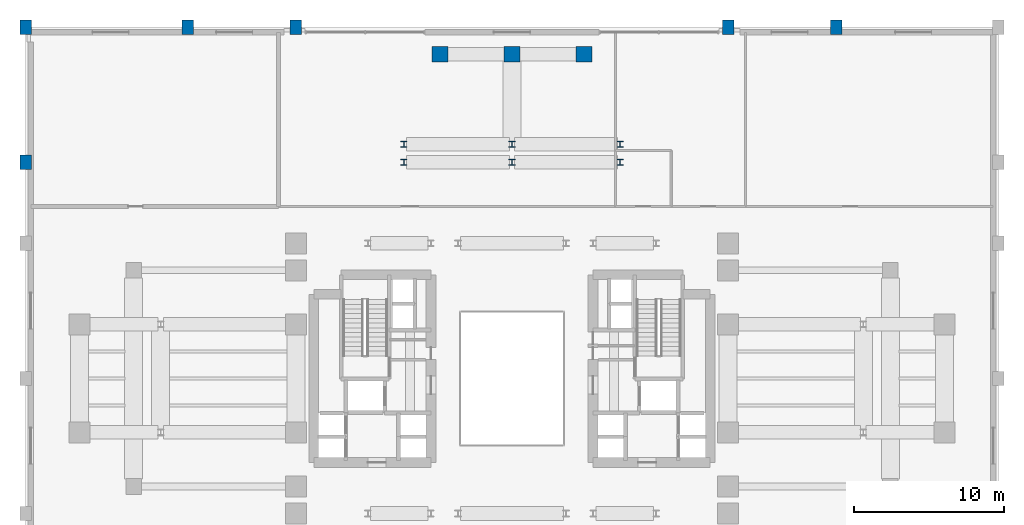
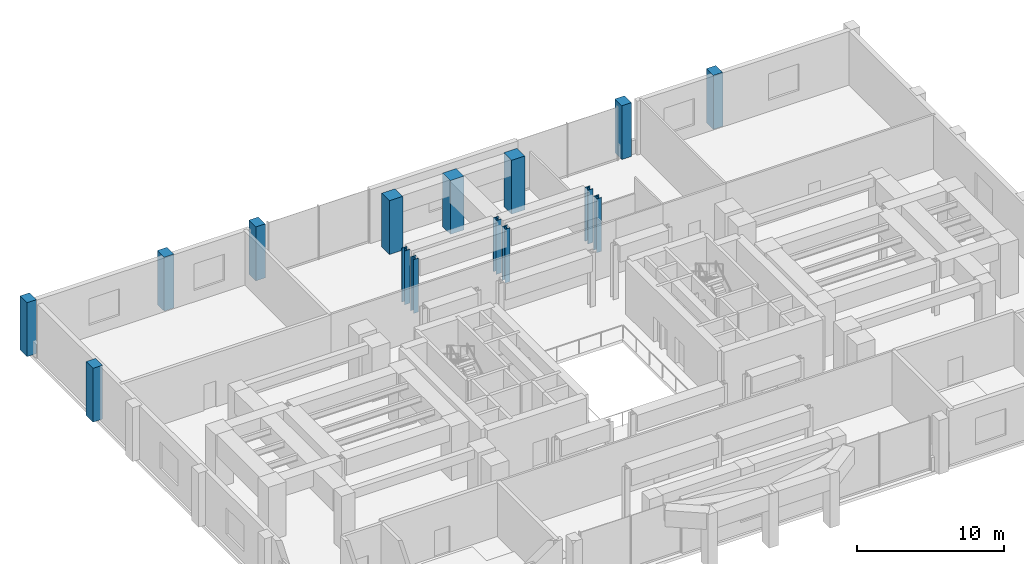
# One storey, part 2 of 13: 15 columns.
"""IFC4 building model written with IfcOpenShell, lengths in metres."""

from ifc_helpers import new_model, si_unit, direction, frame, origin, origin_2d, place, context, subcontext, project, spatial, rectangle, i_section, extrude, source, transform, mapped, material, material_profile, profile_set, type_object, element, save


model = new_model("IFC4")

# Units and contexts
model_context = context("Model", 3, precision=1e-05, world=origin(), true_north=direction((0.0, 1.0)))
body_context = subcontext(model_context, "Body", "Model", "MODEL_VIEW")
ifc_project = project(units=[si_unit("LENGTHUNIT", "METRE"), si_unit("AREAUNIT", "SQUARE_METRE"), si_unit("VOLUMEUNIT", "CUBIC_METRE"), si_unit("PLANEANGLEUNIT", "RADIAN"), si_unit("MASSUNIT", "GRAM", prefix="KILO")], contexts=[model_context])

# Site, building, storey
site_placement = place(None, origin())
site = spatial("IfcSite", under=ifc_project, at=site_placement, CompositionType="ELEMENT")
building_placement = place(site_placement, origin())
building = spatial("IfcBuilding", under=site, at=building_placement, Name="Keilestroom Media Tower", CompositionType="ELEMENT")
storey_placement = place(building_placement, frame((0.0, 0.0, 20.39990234375)))
storey = spatial("IfcBuildingStorey", under=building, at=storey_placement, Name="L04", CompositionType="ELEMENT", Elevation=20.39990234375)

# Columns
ifc_material_1 = material(Name="Precast concrete C40/50", Category="concrete")
ifc_material_profile_1 = material_profile(ifc_material_1, rectangle(XDim=0.75, YDim=0.949951171875, at=origin_2d()), Name="PC 950x750")
ifc_profile_set_1 = profile_set([ifc_material_profile_1], Name="Precast concrete C40/50")
column_type_1 = type_object("IfcColumnType", Name="Structural-Column-PC-950x750", PredefinedType="COLUMN", material=ifc_profile_set_1)
shared_shape_1 = source(origin(), body_context, "Body", "SweptSolid", [
    extrude(rectangle(XDim=0.75, YDim=0.949951171875, at=origin_2d()), origin(), (0.0, 0.0, 1.0), 4.47998046875),
])
for number, where, z_axis, x_axis, name in (
    (1, (-32.39990234375, 14.39990234375, 0.0), (0.0, 0.0, 1.0), (1.0, 0.0, 0.0), "L04 Column PC-1 (-32.4,+14.4)"),
    (2, (-32.39990234375, 23.39990234375, 0.0), (0.0, 0.0, 1.0), (1.0, 0.0, 0.0), "L04 Column PC-1 (-32.4,+23.4)"),
    (3, (-21.60009765625, 23.39990234375, 0.0), (0.0, 0.0, 1.0), (1.0, 0.0, 0.0), "L04 Column PC-1 (-21.6,+23.4)"),
    (4, (-14.39990234375, 23.39990234375, 0.0), (0.0, 0.0, 1.0), (1.0, 0.0, 0.0), "L04 Column PC-1 (-14.4,+23.4)"),
    (5, (14.39990234375, 23.39990234375, 0.0), (0.0, 0.0, 1.0), (1.0, 0.0, 0.0), "L04 Column PC-1 (+14.4,+23.4)"),
    (6, (21.60009765625, 23.39990234375, 0.0), (0.0, 0.0, 1.0), (1.0, 0.0, 0.0), "L04 Column PC-1 (+21.6,+23.4)"),
):
    element("IfcColumn", number, at=place(storey_placement, frame(where, z_axis=z_axis, x_axis=x_axis)), inside=storey, type_object=column_type_1, Name=name, PredefinedType="COLUMN", context=body_context, shape_type="MappedRepresentation", body=[
        mapped(shared_shape_1, transform((0.0, 0.0, 0.0), x_axis=(1.0, 0.0, 0.0), y_axis=(0.0, 1.0, 0.0), z_axis=(0.0, 0.0, 1.0), scale=1.0)),
    ])
ifc_material_2 = material(Name="Concrete C55/67", Category="concrete")
ifc_material_profile_2 = material_profile(ifc_material_2, rectangle(XDim=1.050048828125, YDim=1.050048828125, at=origin_2d()), Name="RC 1050x1050")
ifc_profile_set_2 = profile_set([ifc_material_profile_2], Name="Concrete C55/67")
column_type_2 = type_object("IfcColumnType", Name="Structural-Column-RC-1050x1050", PredefinedType="COLUMN", material=ifc_profile_set_2)
shared_shape_2 = source(origin(), body_context, "Body", "SweptSolid", [
    extrude(rectangle(XDim=1.050048828125, YDim=1.050048828125, at=origin_2d()), origin(), (0.0, 0.0, 1.0), 4.47998046875),
])
for number, where, z_axis, x_axis, name in (
    (7, (-4.800048828125, 21.60009765625, 0.0), (0.0, 0.0, 1.0), (1.0, 0.0, 0.0), "L04 Column MC-3 (-4.8,+21.6)"),
    (8, (0.0, 21.60009765625, 0.0), (0.0, 0.0, 1.0), (1.0, 0.0, 0.0), "L04 Column MC-3 (+0.0,+21.6)"),
    (9, (4.800048828125, 21.60009765625, 0.0), (0.0, 0.0, 1.0), (1.0, 0.0, 0.0), "L04 Column MC-3 (+4.8,+21.6)"),
):
    element("IfcColumn", number, at=place(storey_placement, frame(where, z_axis=z_axis, x_axis=x_axis)), inside=storey, type_object=column_type_2, Name=name, PredefinedType="COLUMN", context=body_context, shape_type="MappedRepresentation", body=[
        mapped(shared_shape_2, transform((0.0, 0.0, 0.0), x_axis=(1.0, 0.0, 0.0), y_axis=(0.0, 1.0, 0.0), z_axis=(0.0, 0.0, 1.0), scale=1.0)),
    ])
ifc_material_3 = material(Name="Steel S460", Category="steel")
ifc_material_profile_3 = material_profile(ifc_material_3, i_section(OverallWidth=0.406005859375, OverallDepth=0.416015625, WebThickness=0.02392578125, FlangeThickness=0.0390625, at=origin_2d()), Name="HD 400x382")
ifc_profile_set_3 = profile_set([ifc_material_profile_3], Name="Steel S460")
column_type_3 = type_object("IfcColumnType", Name="Structural-Column-HD-400x382", PredefinedType="COLUMN", material=ifc_profile_set_3)
shared_shape_3 = source(origin(), body_context, "Body", "SweptSolid", [
    extrude(i_section(OverallWidth=0.406005859375, OverallDepth=0.416015625, WebThickness=0.02392578125, FlangeThickness=0.0390625, at=origin_2d()), origin(), (0.0, 0.0, 1.0), 4.47998046875),
])
for number, where, z_axis, x_axis, name in (
    (10, (-7.199951171875, 14.39990234375, 0.0), (0.0, 0.0, 1.0), (1.0, 0.0, 0.0), "L04 Column SC-1 (-7.2,+14.4)"),
    (11, (-7.199951171875, 15.60009765625, 0.0), (0.0, 0.0, 1.0), (1.0, 0.0, 0.0), "L04 Column SC-1 (-7.2,+15.6)"),
    (12, (0.0, 14.39990234375, 0.0), (0.0, 0.0, 1.0), (1.0, 0.0, 0.0), "L04 Column SC-1 (+0.0,+14.4)"),
    (13, (0.0, 15.60009765625, 0.0), (0.0, 0.0, 1.0), (1.0, 0.0, 0.0), "L04 Column SC-1 (+0.0,+15.6)"),
    (14, (7.199951171875, 14.39990234375, 0.0), (0.0, 0.0, 1.0), (1.0, 0.0, 0.0), "L04 Column SC-1 (+7.2,+14.4)"),
    (15, (7.199951171875, 15.60009765625, 0.0), (0.0, 0.0, 1.0), (1.0, 0.0, 0.0), "L04 Column SC-1 (+7.2,+15.6)"),
):
    element("IfcColumn", number, at=place(storey_placement, frame(where, z_axis=z_axis, x_axis=x_axis)), inside=storey, type_object=column_type_3, Name=name, PredefinedType="COLUMN", context=body_context, shape_type="MappedRepresentation", body=[
        mapped(shared_shape_3, transform((0.0, 0.0, 0.0), x_axis=(1.0, 0.0, 0.0), y_axis=(0.0, 1.0, 0.0), z_axis=(0.0, 0.0, 1.0), scale=1.0)),
    ])

save(model, "model.ifc")
